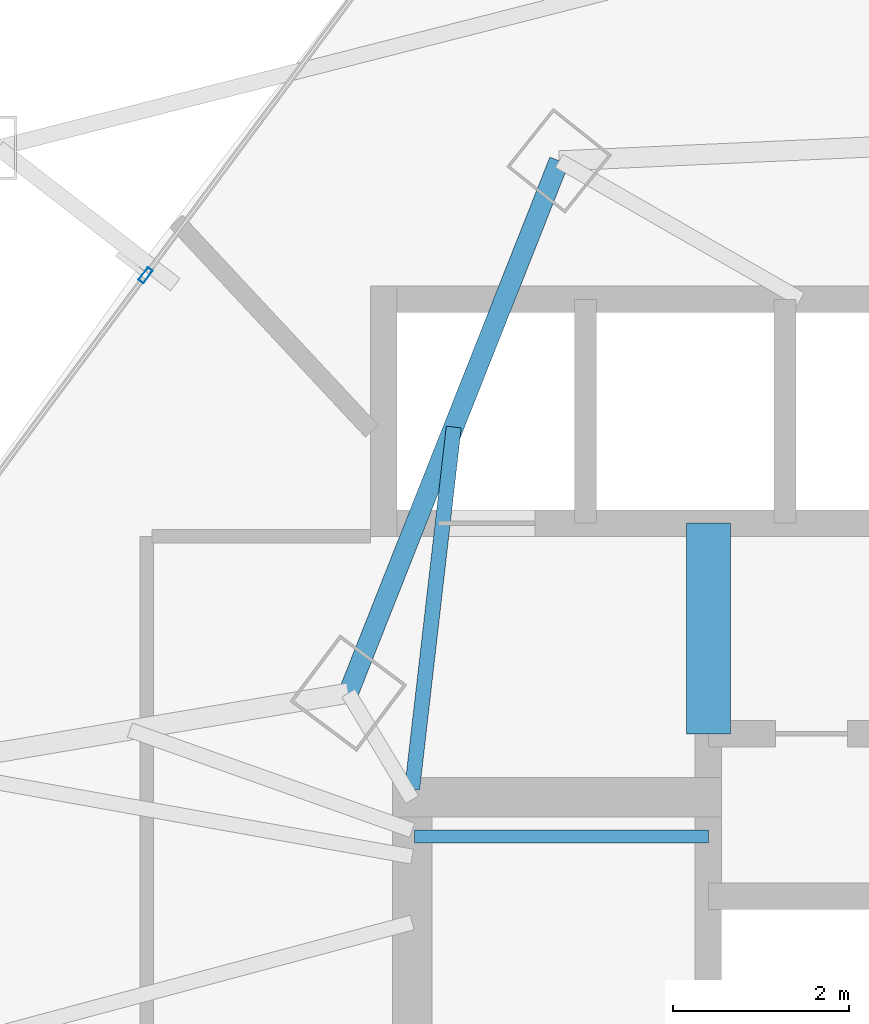
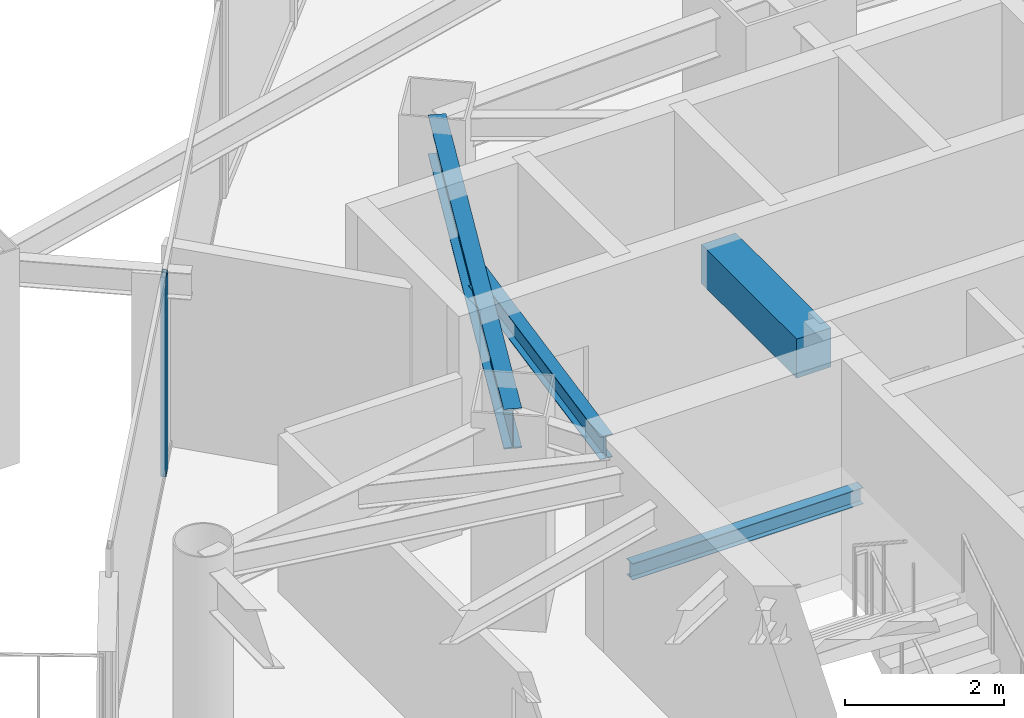
# One storey, part 19 of 33: 4 beams, 1 member, 1 element without a shape of its own.
"""IFC4 building model written with IfcOpenShell, lengths in metres."""

from ifc_helpers import new_model, si_unit, direction, frame, origin, origin_2d, place, context, subcontext, project, spatial, rectangle, hollow_rectangle, i_section, extrude, material, layer, layer_set, material_profile, profile_set, type_object, element, aggregate, save


model = new_model("IFC4")

# Units and contexts
model_context = context("Model", 3, precision=1e-05, world=origin(), true_north=direction((0.0, 1.0)))
body_context = subcontext(model_context, "Body", "Model", "MODEL_VIEW")
ifc_project = project(units=[si_unit("LENGTHUNIT", "METRE"), si_unit("AREAUNIT", "SQUARE_METRE"), si_unit("VOLUMEUNIT", "CUBIC_METRE"), si_unit("PLANEANGLEUNIT", "RADIAN"), si_unit("MASSUNIT", "GRAM", prefix="KILO")], contexts=[model_context])

# Site, building, storey
site_placement = place(None, origin())
site = spatial("IfcSite", under=ifc_project, at=site_placement, CompositionType="ELEMENT")
building_placement = place(site_placement, origin())
building = spatial("IfcBuilding", under=site, at=building_placement, Name="Orvanel Arch Residences", CompositionType="ELEMENT")
storey_placement = place(building_placement, frame((0.0, 0.0, 90.64990234375)))
storey = spatial("IfcBuildingStorey", under=building, at=storey_placement, Name="L25", CompositionType="ELEMENT", Elevation=90.64990234375)

# Beams
ifc_material_1 = material(Name="Structural steel AS/NZS 3679.1 Grade 300 (300 MPa)", Category="steel")
ifc_material_profile_1 = material_profile(ifc_material_1, i_section(OverallWidth=0.14599609375, OverallDepth=0.251953125, WebThickness=0.006103515625, FlangeThickness=0.008544921875, at=origin_2d()), Name="250UB31.4")
ifc_profile_set_1 = profile_set([ifc_material_profile_1], Name="Structural steel AS/NZS 3679.1 Grade 300 (300 MPa)")
beam_type_1 = type_object("IfcBeamType", Name="BJ-250UB", PredefinedType="JOIST", material=ifc_profile_set_1)
beam_1_placement = place(storey_placement, frame((26.39990234375, 33.47998046875, 1.32421875), z_axis=(1.0, 0.0, 0.0), x_axis=(0.0, 1.0, 0.0)))
element("IfcBeam", 1, at=beam_1_placement, inside=storey, type_object=beam_type_1, Name="L25 ST-1 Half-Landing Support Beam 1.2", PredefinedType="JOIST", context=body_context, shape_type="SweptSolid", body=[
    extrude(i_section(OverallWidth=0.14599609375, OverallDepth=0.251953125, WebThickness=0.006103515625, FlangeThickness=0.008544921875, at=origin_2d()), origin(), (0.0, 0.0, 1.0), 3.35009765625),
])
ifc_material_profile_2 = material_profile(ifc_material_1, i_section(OverallWidth=0.1708984375, OverallDepth=0.35595703125, WebThickness=0.00732421875, FlangeThickness=0.011474609375, at=origin_2d()), Name="360UB50.7")
ifc_profile_set_2 = profile_set([ifc_material_profile_2], Name="Structural steel AS/NZS 3679.1 Grade 300 (300 MPa)")
beam_type_2 = type_object("IfcBeamType", Name="BJ-360UB", PredefinedType="JOIST", material=ifc_profile_set_2)
beam_2_placement = place(storey_placement, frame((26.375, 34.02001953125, 2.882080078125), z_axis=(0.114186670431, 0.993459311847, 0.0), x_axis=(-0.993459311847, 0.114186670431, 0.0)))
element("IfcBeam", 2, at=beam_2_placement, inside=storey, type_object=beam_type_2, Name="L25 NNW2 Wing Floor Joist", PredefinedType="JOIST", context=body_context, shape_type="SweptSolid", body=[
    extrude(i_section(OverallWidth=0.1708984375, OverallDepth=0.35595703125, WebThickness=0.00732421875, FlangeThickness=0.011474609375, at=origin_2d()), origin(), (0.0, 0.0, 1.0), 4.152099609375),
])
ifc_material_2 = material(Name="Concrete S65 (65 MPa)", Category="concrete")
ifc_material_profile_3 = material_profile(ifc_material_2, rectangle(XDim=0.5, YDim=0.60009765625, at=origin_2d()), Name="RC500x600")
ifc_profile_set_3 = profile_set([ifc_material_profile_3], Name="Concrete S65 (65 MPa)")
beam_type_3 = type_object("IfcBeamType", Name="CB-500x600", PredefinedType="LINTEL", material=ifc_profile_set_3)
beam_3_placement = place(storey_placement, frame((29.75, 34.64990234375, 2.760009765625), z_axis=(0.0, 1.0, 0.0), x_axis=(-1.0, 0.0, 0.0)))
element("IfcBeam", 3, at=beam_3_placement, inside=storey, type_object=beam_type_3, Name="L25 West Core Lobby Coupling Lintel Beam", PredefinedType="LINTEL", context=body_context, shape_type="SweptSolid", body=[
    extrude(rectangle(XDim=0.5, YDim=0.60009765625, at=origin_2d()), origin(), (0.0, 0.0, 1.0), 2.400146484375),
])

# Curtain wall, member
ifc_material_3 = material(Name="Bronze-anodised aluminium AA6063-T6", Category="aluminium")
ifc_layer = layer(ifc_material_3, 0.179931640625)
ifc_layer_set = layer_set([ifc_layer], Name="Bronze-anodised aluminium AA6063-T6")
curtain_wall_type = type_object("IfcCurtainWallType", Name="CW2-LOW-SYS", PredefinedType="NOTDEFINED", material=ifc_layer_set)
curtain_wall_placement = place(storey_placement, origin())
curtain_wall = element("IfcCurtainWall", 4, at=curtain_wall_placement, inside=storey, type_object=curtain_wall_type, Name="L25 CW2-LOW-SYS Unitised Curtain Wall", PredefinedType="NOTDEFINED")
ifc_material_profile_4 = material_profile(ifc_material_3, hollow_rectangle(XDim=0.070068359375, YDim=0.179931640625, WallThickness=0.00439453125, at=origin_2d()), Name="ALU180x70x4.5")
ifc_profile_set_4 = profile_set([ifc_material_profile_4], Name="Bronze-anodised aluminium AA6063-T6")
member_type = type_object("IfcMemberType", Name="MUL-180x70", PredefinedType="MULLION", material=ifc_profile_set_4)
member_placement = place(storey_placement, frame((23.33740234375, 39.87353515625, 0.0), z_axis=(0.0, 0.0, 1.0), x_axis=(0.802592798057, -0.596527283959, 0.0)))
member = element("IfcMember", 5, at=member_placement, type_object=member_type, Name="CW-S2 mullion 2", PredefinedType="MULLION", context=body_context, shape_type="SweptSolid", body=[
    extrude(hollow_rectangle(XDim=0.070068359375, YDim=0.179931640625, WallThickness=0.00439453125, at=origin_2d()), origin(), (0.0, 0.0, 1.0), 3.06005859375),
])
aggregate(curtain_wall, [member])

# Beam
ifc_material_profile_5 = material_profile(ifc_material_1, i_section(OverallWidth=0.22900390625, OverallDepth=0.612060546875, WebThickness=0.011962890625, FlangeThickness=0.01953125, at=origin_2d()), Name="610UB125")
ifc_profile_set_5 = profile_set([ifc_material_profile_5], Name="Structural steel AS/NZS 3679.1 Grade 300 (300 MPa)")
beam_type_4 = type_object("IfcBeamType", Name="SP-610UB", PredefinedType="SPANDREL", material=ifc_profile_set_5)
beam_4_placement = place(storey_placement, frame((28.050048828125, 41.177978515625, 2.754150390625), z_axis=(-0.368233143579, -0.929733484376, 0.0), x_axis=(0.929733484376, -0.368233143579, 0.0)))
element("IfcBeam", 6, at=beam_4_placement, inside=storey, type_object=beam_type_4, Name="L25 Perimeter Spandrel Beam 18", PredefinedType="SPANDREL", context=body_context, shape_type="SweptSolid", body=[
    extrude(i_section(OverallWidth=0.22900390625, OverallDepth=0.612060546875, WebThickness=0.011962890625, FlangeThickness=0.01953125, at=origin_2d()), origin(), (0.0, 0.0, 1.0), 6.523193359375),
])

save(model, "model.ifc")
